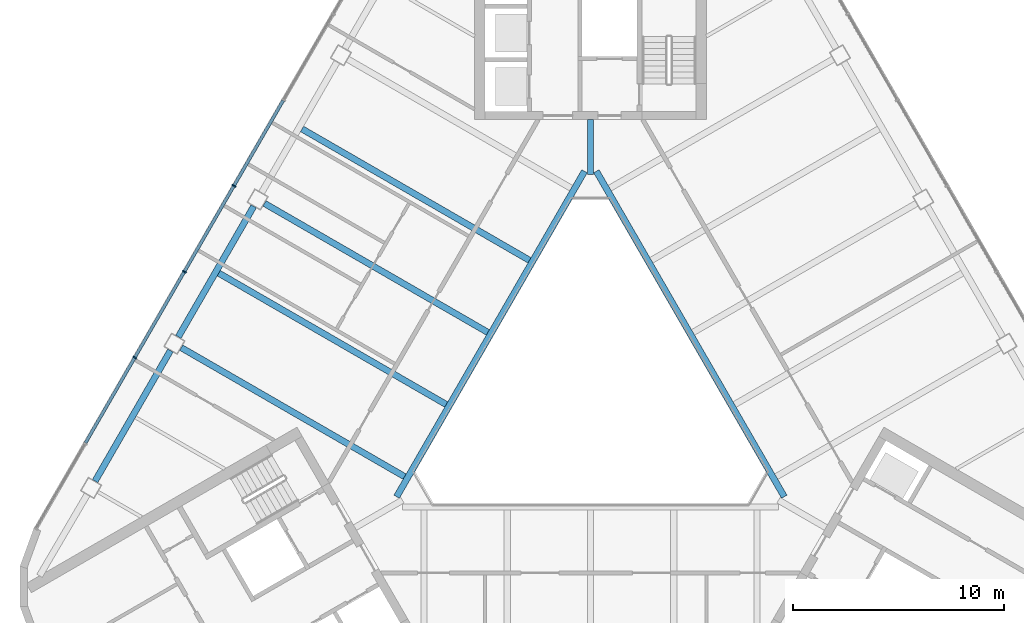
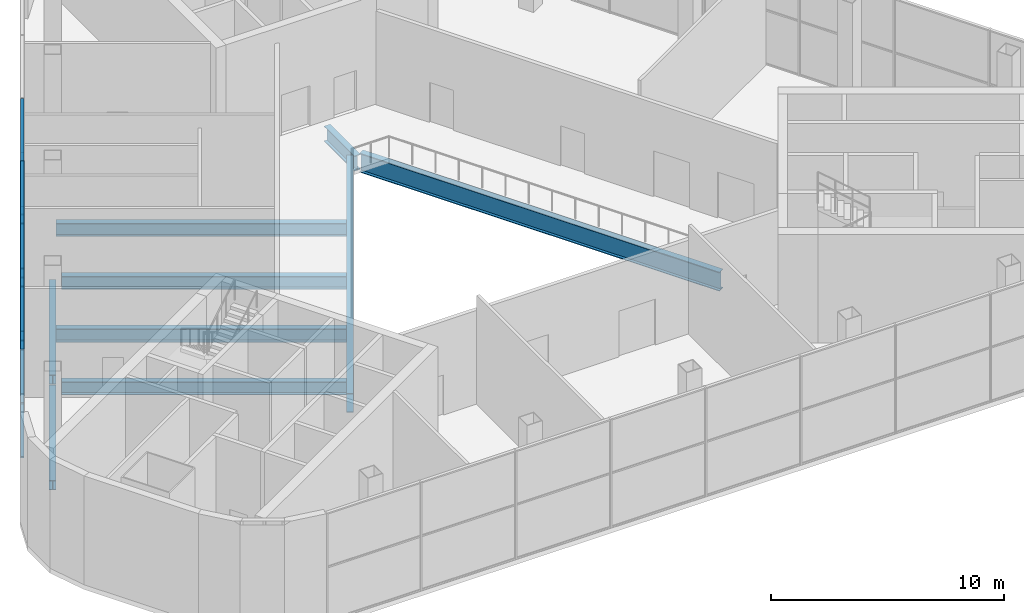
# One storey, part 3 of 14: 15 members, 9 beams, 1 element without a shape of its own.
"""IFC4 building model written with IfcOpenShell, lengths in metres."""

from ifc_helpers import new_model, si_unit, direction, frame, origin, origin_2d, place, context, subcontext, project, spatial, rectangle, i_section, extrude, material, layer, layer_set, material_profile, profile_set, type_object, element, aggregate, save


model = new_model("IFC4")

# Units and contexts
model_context = context("Model", 3, precision=1e-05, world=origin(), true_north=direction((0.0, 1.0)))
body_context = subcontext(model_context, "Body", "Model", "MODEL_VIEW")
ifc_project = project(units=[si_unit("LENGTHUNIT", "METRE"), si_unit("AREAUNIT", "SQUARE_METRE"), si_unit("VOLUMEUNIT", "CUBIC_METRE"), si_unit("PLANEANGLEUNIT", "RADIAN"), si_unit("MASSUNIT", "GRAM", prefix="KILO")], contexts=[model_context])

# Site, building, storey
site_placement = place(None, origin())
site = spatial("IfcSite", under=ifc_project, at=site_placement, CompositionType="ELEMENT")
building_placement = place(site_placement, origin())
building = spatial("IfcBuilding", under=site, at=building_placement, Name="Apuvela Tower Hotel", CompositionType="ELEMENT")
storey_placement = place(building_placement, frame((0.0, 0.0, 231.699951171875)))
storey = spatial("IfcBuildingStorey", under=building, at=storey_placement, Name="L57", CompositionType="ELEMENT", Elevation=231.699951171875)

# Curtain wall, members
ifc_material_1 = material(Name="Aluminium 6063-T6, dark bronze anodised", Category="aluminium")
ifc_layer = layer(ifc_material_1, 0.199951171875)
ifc_layer_set = layer_set([ifc_layer], Name="ENV-CW-S")
curtain_wall_type = type_object("IfcCurtainWallType", Name="ENV-CW-S", PredefinedType="NOTDEFINED", material=ifc_layer_set)
curtain_wall_placement = place(storey_placement, origin())
curtain_wall = element("IfcCurtainWall", 1, at=curtain_wall_placement, inside=storey, type_object=curtain_wall_type, Name="Curtain wall CW-S NW L57", PredefinedType="NOTDEFINED")
ifc_material_profile_1 = material_profile(ifc_material_1, rectangle(XDim=0.199951171875, YDim=0.06494140625, at=origin_2d()), Name="AL 65x200")
ifc_profile_set_1 = profile_set([ifc_material_profile_1], Name="Aluminium 6063-T6, dark bronze anodised")
member_type_1 = type_object("IfcMemberType", Name="ENV-MULLION-65x200", PredefinedType="MULLION", material=ifc_profile_set_1)
member_1_placement = place(storey_placement, frame((-16.91357421875, 9.764892578125, 0.0), z_axis=(0.0, 0.0, 1.0), x_axis=(0.866025924721, -0.49999909771, 0.0)))
member_1 = element("IfcMember", 2, at=member_1_placement, type_object=member_type_1, Name="CW-S mullion 5", PredefinedType="MULLION", context=body_context, shape_type="SweptSolid", body=[
    extrude(rectangle(XDim=0.199951171875, YDim=0.06494140625, at=origin_2d()), origin(), (0.0, 0.0, 1.0), 5.699951171875),
])
member_2_placement = place(storey_placement, frame((-19.265380859375, 5.691162109375, 0.0), z_axis=(0.0, 0.0, 1.0), x_axis=(0.866025924721, -0.49999909771, 0.0)))
member_2 = element("IfcMember", 3, at=member_2_placement, type_object=member_type_1, Name="CW-S mullion 6", PredefinedType="MULLION", context=body_context, shape_type="SweptSolid", body=[
    extrude(rectangle(XDim=0.199951171875, YDim=0.06494140625, at=origin_2d()), origin(), (0.0, 0.0, 1.0), 5.699951171875),
])
member_3_placement = place(storey_placement, frame((-21.617431640625, 1.617431640625, 0.0), z_axis=(0.0, 0.0, 1.0), x_axis=(0.866025924721, -0.49999909771, 0.0)))
member_3 = element("IfcMember", 4, at=member_3_placement, type_object=member_type_1, Name="CW-S mullion 7", PredefinedType="MULLION", context=body_context, shape_type="SweptSolid", body=[
    extrude(rectangle(XDim=0.199951171875, YDim=0.06494140625, at=origin_2d()), origin(), (0.0, 0.0, 1.0), 5.699951171875),
])
ifc_material_profile_2 = material_profile(ifc_material_1, rectangle(XDim=0.14990234375, YDim=0.06494140625, at=origin_2d()), Name="AL 65x150 transom")
ifc_profile_set_2 = profile_set([ifc_material_profile_2], Name="Aluminium 6063-T6, dark bronze anodised")
member_type_2 = type_object("IfcMemberType", Name="ENV-TRANSOM-65x150", PredefinedType="USERDEFINED", material=ifc_profile_set_2)
member_4_placement = place(storey_placement, frame((-14.577880859375, 13.810546875, 0.032470703125), z_axis=(-0.499988210251, -0.866032210492, 0.0), x_axis=(0.866032210492, -0.499988210251, 0.0)))
member_4 = element("IfcMember", 5, at=member_4_placement, type_object=member_type_2, Name="CW-S transom 4.1", ObjectType="TRANSOM", PredefinedType="USERDEFINED", context=body_context, shape_type="SweptSolid", body=[
    extrude(rectangle(XDim=0.14990234375, YDim=0.06494140625, at=origin_2d()), origin(), (0.0, 0.0, 1.0), 4.638671875),
])
member_5_placement = place(storey_placement, frame((-14.577880859375, 13.810546875, 2.85009765625), z_axis=(-0.499988210251, -0.866032210492, 0.0), x_axis=(0.866032210492, -0.499988210251, 0.0)))
member_5 = element("IfcMember", 6, at=member_5_placement, type_object=member_type_2, Name="CW-S transom 4.2", ObjectType="TRANSOM", PredefinedType="USERDEFINED", context=body_context, shape_type="SweptSolid", body=[
    extrude(rectangle(XDim=0.14990234375, YDim=0.06494140625, at=origin_2d()), origin(), (0.0, 0.0, 1.0), 4.638671875),
])
member_6_placement = place(storey_placement, frame((-14.577880859375, 13.810546875, 5.66748046875), z_axis=(-0.499988210251, -0.866032210492, 0.0), x_axis=(0.866032210492, -0.499988210251, 0.0)))
member_6 = element("IfcMember", 7, at=member_6_placement, type_object=member_type_2, Name="CW-S transom 4.3", ObjectType="TRANSOM", PredefinedType="USERDEFINED", context=body_context, shape_type="SweptSolid", body=[
    extrude(rectangle(XDim=0.14990234375, YDim=0.06494140625, at=origin_2d()), origin(), (0.0, 0.0, 1.0), 4.638671875),
])
member_7_placement = place(storey_placement, frame((-16.9296875, 9.73681640625, 0.032470703125), z_axis=(-0.500027682067, -0.866009420946, 0.0), x_axis=(0.866009420946, -0.500027682067, 0.0)))
member_7 = element("IfcMember", 8, at=member_7_placement, type_object=member_type_2, Name="CW-S transom 5.1", ObjectType="TRANSOM", PredefinedType="USERDEFINED", context=body_context, shape_type="SweptSolid", body=[
    extrude(rectangle(XDim=0.14990234375, YDim=0.06494140625, at=origin_2d()), origin(), (0.0, 0.0, 1.0), 4.638916015625),
])
member_8_placement = place(storey_placement, frame((-16.9296875, 9.73681640625, 2.85009765625), z_axis=(-0.500027682067, -0.866009420946, 0.0), x_axis=(0.866009420946, -0.500027682067, 0.0)))
member_8 = element("IfcMember", 9, at=member_8_placement, type_object=member_type_2, Name="CW-S transom 5.2", ObjectType="TRANSOM", PredefinedType="USERDEFINED", context=body_context, shape_type="SweptSolid", body=[
    extrude(rectangle(XDim=0.14990234375, YDim=0.06494140625, at=origin_2d()), origin(), (0.0, 0.0, 1.0), 4.638916015625),
])
member_9_placement = place(storey_placement, frame((-16.9296875, 9.73681640625, 5.66748046875), z_axis=(-0.500027682067, -0.866009420946, 0.0), x_axis=(0.866009420946, -0.500027682067, 0.0)))
member_9 = element("IfcMember", 10, at=member_9_placement, type_object=member_type_2, Name="CW-S transom 5.3", ObjectType="TRANSOM", PredefinedType="USERDEFINED", context=body_context, shape_type="SweptSolid", body=[
    extrude(rectangle(XDim=0.14990234375, YDim=0.06494140625, at=origin_2d()), origin(), (0.0, 0.0, 1.0), 4.638916015625),
])
member_10_placement = place(storey_placement, frame((-19.28173828125, 5.6630859375, 0.032470703125), z_axis=(-0.500027682067, -0.866009420946, 0.0), x_axis=(0.866009420946, -0.500027682067, 0.0)))
member_10 = element("IfcMember", 11, at=member_10_placement, type_object=member_type_2, Name="CW-S transom 6.1", ObjectType="TRANSOM", PredefinedType="USERDEFINED", context=body_context, shape_type="SweptSolid", body=[
    extrude(rectangle(XDim=0.14990234375, YDim=0.06494140625, at=origin_2d()), origin(), (0.0, 0.0, 1.0), 4.638916015625),
])
member_11_placement = place(storey_placement, frame((-19.28173828125, 5.6630859375, 2.85009765625), z_axis=(-0.500027682067, -0.866009420946, 0.0), x_axis=(0.866009420946, -0.500027682067, 0.0)))
member_11 = element("IfcMember", 12, at=member_11_placement, type_object=member_type_2, Name="CW-S transom 6.2", ObjectType="TRANSOM", PredefinedType="USERDEFINED", context=body_context, shape_type="SweptSolid", body=[
    extrude(rectangle(XDim=0.14990234375, YDim=0.06494140625, at=origin_2d()), origin(), (0.0, 0.0, 1.0), 4.638916015625),
])
member_12_placement = place(storey_placement, frame((-19.28173828125, 5.6630859375, 5.66748046875), z_axis=(-0.500027682067, -0.866009420946, 0.0), x_axis=(0.866009420946, -0.500027682067, 0.0)))
member_12 = element("IfcMember", 13, at=member_12_placement, type_object=member_type_2, Name="CW-S transom 6.3", ObjectType="TRANSOM", PredefinedType="USERDEFINED", context=body_context, shape_type="SweptSolid", body=[
    extrude(rectangle(XDim=0.14990234375, YDim=0.06494140625, at=origin_2d()), origin(), (0.0, 0.0, 1.0), 4.638916015625),
])
member_13_placement = place(storey_placement, frame((-21.6337890625, 1.58935546875, 0.032470703125), z_axis=(-0.49996542187, -0.866045366557, 0.0), x_axis=(0.866045366557, -0.49996542187, 0.0)))
member_13 = element("IfcMember", 14, at=member_13_placement, type_object=member_type_2, Name="CW-S transom 7.1", ObjectType="TRANSOM", PredefinedType="USERDEFINED", context=body_context, shape_type="SweptSolid", body=[
    extrude(rectangle(XDim=0.14990234375, YDim=0.06494140625, at=origin_2d()), origin(), (0.0, 0.0, 1.0), 4.638916015625),
])
member_14_placement = place(storey_placement, frame((-21.6337890625, 1.58935546875, 2.85009765625), z_axis=(-0.49996542187, -0.866045366557, 0.0), x_axis=(0.866045366557, -0.49996542187, 0.0)))
member_14 = element("IfcMember", 15, at=member_14_placement, type_object=member_type_2, Name="CW-S transom 7.2", ObjectType="TRANSOM", PredefinedType="USERDEFINED", context=body_context, shape_type="SweptSolid", body=[
    extrude(rectangle(XDim=0.14990234375, YDim=0.06494140625, at=origin_2d()), origin(), (0.0, 0.0, 1.0), 4.638916015625),
])
member_15_placement = place(storey_placement, frame((-21.6337890625, 1.58935546875, 5.66748046875), z_axis=(-0.49996542187, -0.866045366557, 0.0), x_axis=(0.866045366557, -0.49996542187, 0.0)))
member_15 = element("IfcMember", 16, at=member_15_placement, type_object=member_type_2, Name="CW-S transom 7.3", ObjectType="TRANSOM", PredefinedType="USERDEFINED", context=body_context, shape_type="SweptSolid", body=[
    extrude(rectangle(XDim=0.14990234375, YDim=0.06494140625, at=origin_2d()), origin(), (0.0, 0.0, 1.0), 4.638916015625),
])
aggregate(curtain_wall, [member_1, member_2, member_3, member_4, member_5, member_6, member_7, member_8, member_9, member_10, member_11, member_12, member_13, member_14, member_15])

# Beams
ifc_material_2 = material(Name="Steel S355", Category="steel")
ifc_material_profile_3 = material_profile(ifc_material_2, i_section(OverallWidth=0.300048828125, OverallDepth=0.68994140625, WebThickness=0.014404296875, FlangeThickness=0.027099609375, at=origin_2d()), Name="HE 700 A")
ifc_profile_set_3 = profile_set([ifc_material_profile_3], Name="Steel S355")
beam_type_1 = type_object("IfcBeamType", Name="STR-B floor beam HE 700 A", PredefinedType="BEAM", material=ifc_profile_set_3)
beam_1_placement = place(storey_placement, frame((-13.6826171875, 12.460693359375, -0.594970703125), z_axis=(0.866023089177, -0.500004008996, 0.0), x_axis=(0.500004008996, 0.866023089177, 0.0)))
element("IfcBeam", 17, at=beam_1_placement, inside=storey, type_object=beam_type_1, Name="Floor beam B6 NW4", PredefinedType="BEAM", context=body_context, shape_type="SweptSolid", body=[
    extrude(i_section(OverallWidth=0.300048828125, OverallDepth=0.68994140625, WebThickness=0.014404296875, FlangeThickness=0.027099609375, at=origin_2d()), origin(), (0.0, 0.0, 1.0), 12.4599609375),
])
beam_2_placement = place(storey_placement, frame((-15.462890625, 8.927490234375, -0.594970703125), z_axis=(0.866025418325, -0.499999974815, 0.0), x_axis=(0.499999974815, 0.866025418325, 0.0)))
element("IfcBeam", 18, at=beam_2_placement, inside=storey, type_object=beam_type_1, Name="Floor beam B6 NW5", PredefinedType="BEAM", context=body_context, shape_type="SweptSolid", body=[
    extrude(i_section(OverallWidth=0.300048828125, OverallDepth=0.68994140625, WebThickness=0.014404296875, FlangeThickness=0.027099609375, at=origin_2d()), origin(), (0.0, 0.0, 1.0), 12.23486328125),
])
beam_3_placement = place(storey_placement, frame((-17.6328125, 5.619140625, -0.594970703125), z_axis=(0.866027987673, -0.499995524547, 0.0), x_axis=(0.499995524547, 0.866027987673, 0.0)))
element("IfcBeam", 19, at=beam_3_placement, inside=storey, type_object=beam_type_1, Name="Floor beam B6 NW6", PredefinedType="BEAM", context=body_context, shape_type="SweptSolid", body=[
    extrude(i_section(OverallWidth=0.300048828125, OverallDepth=0.68994140625, WebThickness=0.014404296875, FlangeThickness=0.027099609375, at=origin_2d()), origin(), (0.0, 0.0, 1.0), 12.4599609375),
])
beam_4_placement = place(storey_placement, frame((-19.412841796875, 2.0859375, -0.594970703125), z_axis=(0.866025418325, -0.499999974815, 0.0), x_axis=(0.499999974815, 0.866025418325, 0.0)))
element("IfcBeam", 20, at=beam_4_placement, inside=storey, type_object=beam_type_1, Name="Floor beam B6 NW7", PredefinedType="BEAM", context=body_context, shape_type="SweptSolid", body=[
    extrude(i_section(OverallWidth=0.300048828125, OverallDepth=0.68994140625, WebThickness=0.014404296875, FlangeThickness=0.027099609375, at=origin_2d()), origin(), (0.0, 0.0, 1.0), 12.23486328125),
])
ifc_material_profile_4 = material_profile(ifc_material_2, i_section(OverallWidth=0.300048828125, OverallDepth=1.0, WebThickness=0.01904296875, FlangeThickness=0.035888671875, at=origin_2d()), Name="HE 1000 B")
ifc_profile_set_4 = profile_set([ifc_material_profile_4], Name="Steel S355")
beam_type_2 = type_object("IfcBeamType", Name="STR-G atrium ring girder HE 1000 B", PredefinedType="BEAM", material=ifc_profile_set_4)
for number, where, z_axis, x_axis, name in (
    (21, (-0.27978515625, 10.455078125, -0.75), (-0.500006541319, -0.866021627119, 0.0), (0.866021627119, -0.500006541319, 0.0), "Atrium ring girder G2 N-SW"),
    (22, (9.1943359375, -4.985107421875, -0.75), (-0.500006541319, 0.866021627119, 0.0), (-0.866021627119, -0.500006541319, 0.0), "Atrium ring girder G2 SE-N"),
):
    element("IfcBeam", number, at=place(storey_placement, frame(where, z_axis=z_axis, x_axis=x_axis)), inside=storey, type_object=beam_type_2, Name=name, PredefinedType="BEAM", context=body_context, shape_type="SweptSolid", body=[
        extrude(i_section(OverallWidth=0.300048828125, OverallDepth=1.0, WebThickness=0.01904296875, FlangeThickness=0.035888671875, at=origin_2d()), origin(), (0.0, 0.0, 1.0), 17.828857421875),
    ])
ifc_material_profile_5 = material_profile(ifc_material_2, i_section(OverallWidth=0.300048828125, OverallDepth=0.800048828125, WebThickness=0.017578125, FlangeThickness=0.032958984375, at=origin_2d()), Name="HE 800 B")
ifc_profile_set_5 = profile_set([ifc_material_profile_5], Name="Steel S355")
beam_type_3 = type_object("IfcBeamType", Name="STR-GT core tie beam HE 800 B", PredefinedType="BEAM", material=ifc_profile_set_5)
beam_5_placement = place(storey_placement, frame((0.0, 12.89990234375, -0.64990234375), z_axis=(0.0, -1.0, 0.0), x_axis=(1.0, 0.0, 0.0)))
element("IfcBeam", 23, at=beam_5_placement, inside=storey, type_object=beam_type_3, Name="Core tie beam GT1 N", PredefinedType="BEAM", context=body_context, shape_type="SweptSolid", body=[
    extrude(i_section(OverallWidth=0.300048828125, OverallDepth=0.800048828125, WebThickness=0.017578125, FlangeThickness=0.032958984375, at=origin_2d()), origin(), (0.0, 0.0, 1.0), 2.599853515625),
])
ifc_material_profile_6 = material_profile(ifc_material_2, i_section(OverallWidth=0.300048828125, OverallDepth=0.489990234375, WebThickness=0.011962890625, FlangeThickness=0.02294921875, at=origin_2d()), Name="HE 500 A")
ifc_profile_set_6 = profile_set([ifc_material_profile_6], Name="Steel S355")
beam_type_4 = type_object("IfcBeamType", Name="STR-SB spandrel beam HE 500 A", PredefinedType="SPANDREL", material=ifc_profile_set_6)
beam_6_placement = place(storey_placement, frame((-15.97509765625, 8.790283203125, -0.494873046875), z_axis=(-0.499991424076, -0.86603035504, 0.0), x_axis=(0.86603035504, -0.499991424076, 0.0)))
element("IfcBeam", 24, at=beam_6_placement, inside=storey, type_object=beam_type_4, Name="Spandrel beam SB3 NW3", PredefinedType="SPANDREL", context=body_context, shape_type="SweptSolid", body=[
    extrude(i_section(OverallWidth=0.300048828125, OverallDepth=0.489990234375, WebThickness=0.011962890625, FlangeThickness=0.02294921875, at=origin_2d()), origin(), (0.0, 0.0, 1.0), 7.150146484375),
])
beam_7_placement = place(storey_placement, frame((-19.925048828125, 1.948486328125, -0.494873046875), z_axis=(-0.500006209673, -0.866021818598, 0.0), x_axis=(0.866021818598, -0.500006209673, 0.0)))
element("IfcBeam", 25, at=beam_7_placement, inside=storey, type_object=beam_type_4, Name="Spandrel beam SB3 NW4", PredefinedType="SPANDREL", context=body_context, shape_type="SweptSolid", body=[
    extrude(i_section(OverallWidth=0.300048828125, OverallDepth=0.489990234375, WebThickness=0.011962890625, FlangeThickness=0.02294921875, at=origin_2d()), origin(), (0.0, 0.0, 1.0), 7.14990234375),
])

save(model, "model.ifc")
